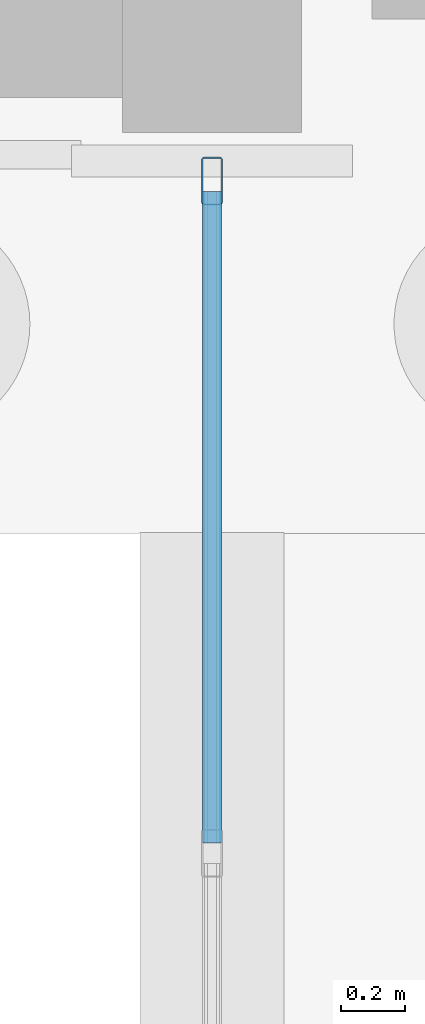
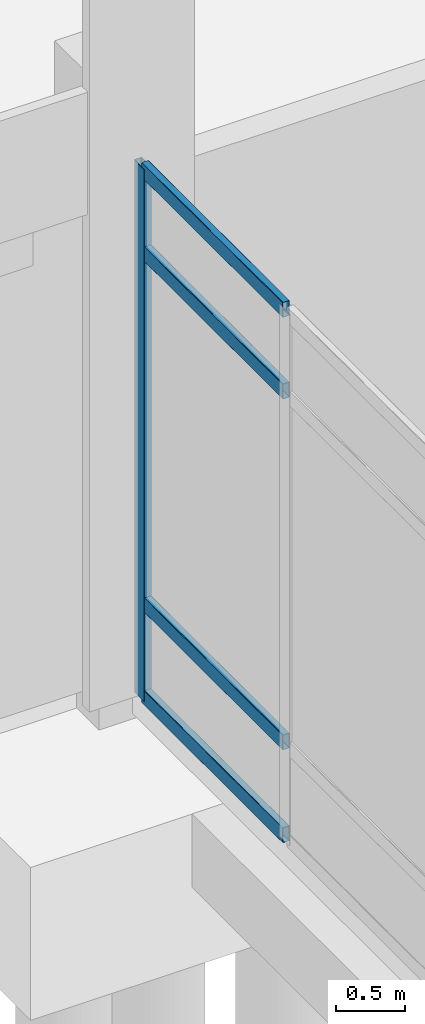
# One storey, part 57 of 109: 5 members, 1 element without a shape of its own.
"""IFC4 building model written with IfcOpenShell, lengths in metres."""

from ifc_helpers import new_model, si_unit, direction, frame, origin, origin_2d, place, context, subcontext, project, spatial, hollow_rectangle, extrude, material, material_profile, profile_set, type_object, element, aggregate, save


model = new_model("IFC4")

# Units and contexts
model_context = context("Model", 3, precision=1e-05, world=origin(), true_north=direction((0.0, 1.0)))
body_context = subcontext(model_context, "Body", "Model", "MODEL_VIEW")
ifc_project = project(units=[si_unit("LENGTHUNIT", "METRE"), si_unit("AREAUNIT", "SQUARE_METRE"), si_unit("VOLUMEUNIT", "CUBIC_METRE"), si_unit("PLANEANGLEUNIT", "RADIAN"), si_unit("MASSUNIT", "GRAM", prefix="KILO")], contexts=[model_context])

# Site, building, storey
site_placement = place(None, origin())
site = spatial("IfcSite", under=ifc_project, at=site_placement, CompositionType="ELEMENT")
building_placement = place(site_placement, origin())
building = spatial("IfcBuilding", under=site, at=building_placement, Name="Lusvemor Sports Hall", CompositionType="ELEMENT")
storey_placement = place(building_placement, origin())
storey = spatial("IfcBuildingStorey", under=building, at=storey_placement, Name="L00", CompositionType="ELEMENT", Elevation=0.0)

# Curtain wall, members
ifc_material_1 = material(Name="Thermally broken bronze-anodized aluminium", Category="aluminium")
curtain_wall_type = type_object("IfcCurtainWallType", Name="CW_WING_B", PredefinedType="NOTDEFINED", material=ifc_material_1)
curtain_wall_placement = place(storey_placement, origin())
curtain_wall = element("IfcCurtainWall", 1, at=curtain_wall_placement, inside=storey, type_object=curtain_wall_type, Name="Curtain Wall CW-V5NE-W-L00-B", PredefinedType="NOTDEFINED")
ifc_material_2 = material(Name="Thermally broken bronze-anodized aluminium", Category="aluminium")
ifc_material_profile_1 = material_profile(ifc_material_2, hollow_rectangle(XDim=0.06494140625, YDim=0.14990234375, WallThickness=0.00390625, InnerFilletRadius=0.00390625, OuterFilletRadius=0.008056640625, at=origin_2d()), Name="CWMUL150x65x4")
ifc_profile_set_1 = profile_set([ifc_material_profile_1], Name="Thermally broken bronze-anodized aluminium")
member_type_1 = type_object("IfcMemberType", Name="CW_MUL_B", PredefinedType="MULLION", material=ifc_profile_set_1)
member_1_placement = place(storey_placement, frame((118.800048828125, 96.7275390625, 0.0), z_axis=(0.0, 0.0, 1.0), x_axis=(-1.0, 0.0, 0.0)))
member_1 = element("IfcMember", 2, at=member_1_placement, type_object=member_type_1, Name="CW02 mullion 4", PredefinedType="MULLION", context=body_context, shape_type="SweptSolid", body=[
    extrude(hollow_rectangle(XDim=0.06494140625, YDim=0.14990234375, WallThickness=0.00390625, InnerFilletRadius=0.00390625, OuterFilletRadius=0.008056640625, at=origin_2d()), origin(), (0.0, 0.0, 1.0), 4.699951171875),
])
ifc_material_3 = material(Name="Thermally broken bronze-anodized aluminium", Category="aluminium")
ifc_material_profile_2 = material_profile(ifc_material_3, hollow_rectangle(XDim=0.06005859375, YDim=0.135009765625, WallThickness=0.00390625, InnerFilletRadius=0.00390625, OuterFilletRadius=0.008056640625, at=origin_2d()), Name="CWTRN135x60x4")
ifc_profile_set_2 = profile_set([ifc_material_profile_2], Name="Thermally broken bronze-anodized aluminium")
member_type_2 = type_object("IfcMemberType", Name="CW_TRN_B", PredefinedType="USERDEFINED", material=ifc_profile_set_2)
member_2_placement = place(storey_placement, frame((118.800048828125, 94.65576171875, 0.030029296875), z_axis=(0.0, 1.0, 0.0), x_axis=(-1.0, 0.0, 0.0)))
member_2 = element("IfcMember", 3, at=member_2_placement, type_object=member_type_2, Name="CW02 transom 3.1", ObjectType="TRANSOM", PredefinedType="USERDEFINED", context=body_context, shape_type="SweptSolid", body=[
    extrude(hollow_rectangle(XDim=0.06005859375, YDim=0.135009765625, WallThickness=0.00390625, InnerFilletRadius=0.00390625, OuterFilletRadius=0.008056640625, at=origin_2d()), origin(), (0.0, 0.0, 1.0), 2.039306640625),
])
member_3_placement = place(storey_placement, frame((118.800048828125, 94.65576171875, 0.85009765625), z_axis=(0.0, 1.0, 0.0), x_axis=(-1.0, 0.0, 0.0)))
member_3 = element("IfcMember", 4, at=member_3_placement, type_object=member_type_2, Name="CW02 transom 3.2", ObjectType="TRANSOM", PredefinedType="USERDEFINED", context=body_context, shape_type="SweptSolid", body=[
    extrude(hollow_rectangle(XDim=0.06005859375, YDim=0.135009765625, WallThickness=0.00390625, InnerFilletRadius=0.00390625, OuterFilletRadius=0.008056640625, at=origin_2d()), origin(), (0.0, 0.0, 1.0), 2.039306640625),
])
member_4_placement = place(storey_placement, frame((118.800048828125, 94.65576171875, 3.949951171875), z_axis=(0.0, 1.0, 0.0), x_axis=(-1.0, 0.0, 0.0)))
member_4 = element("IfcMember", 5, at=member_4_placement, type_object=member_type_2, Name="CW02 transom 3.3", ObjectType="TRANSOM", PredefinedType="USERDEFINED", context=body_context, shape_type="SweptSolid", body=[
    extrude(hollow_rectangle(XDim=0.06005859375, YDim=0.135009765625, WallThickness=0.00390625, InnerFilletRadius=0.00390625, OuterFilletRadius=0.008056640625, at=origin_2d()), origin(), (0.0, 0.0, 1.0), 2.039306640625),
])
member_5_placement = place(storey_placement, frame((118.800048828125, 94.65576171875, 4.669921875), z_axis=(0.0, 1.0, 0.0), x_axis=(-1.0, 0.0, 0.0)))
member_5 = element("IfcMember", 6, at=member_5_placement, type_object=member_type_2, Name="CW02 transom 3.4", ObjectType="TRANSOM", PredefinedType="USERDEFINED", context=body_context, shape_type="SweptSolid", body=[
    extrude(hollow_rectangle(XDim=0.06005859375, YDim=0.135009765625, WallThickness=0.00390625, InnerFilletRadius=0.00390625, OuterFilletRadius=0.008056640625, at=origin_2d()), origin(), (0.0, 0.0, 1.0), 2.039306640625),
])
aggregate(curtain_wall, [member_1, member_2, member_3, member_4, member_5])

save(model, "model.ifc")
